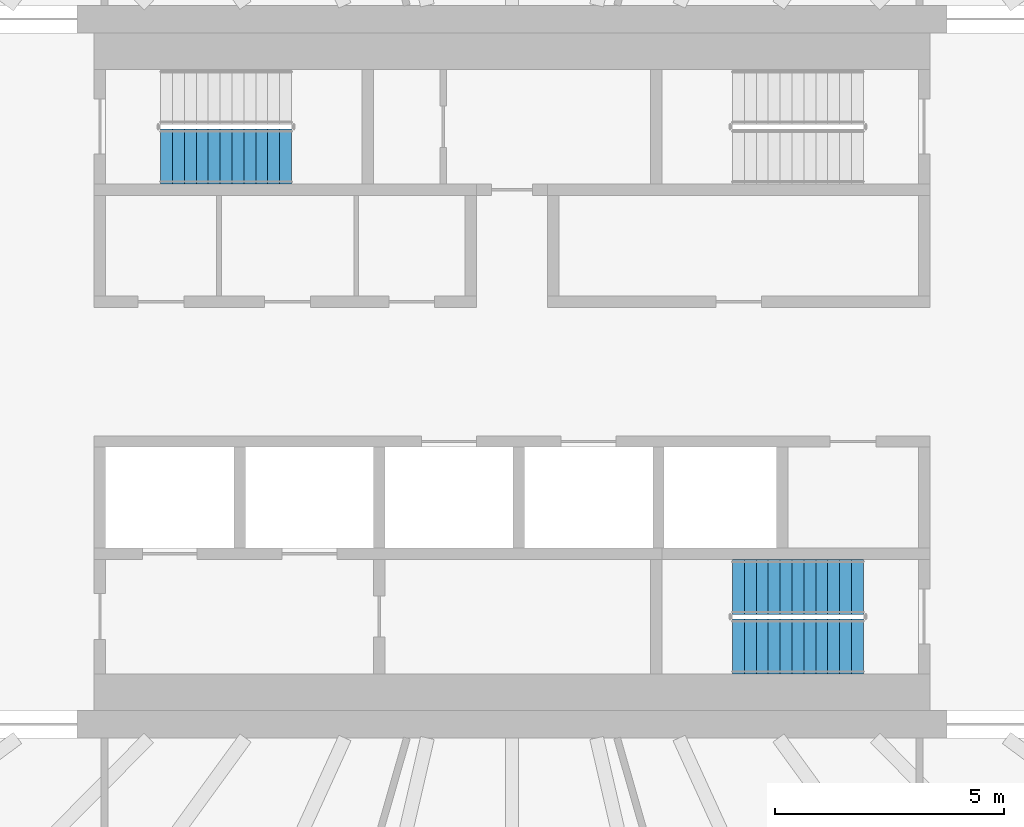
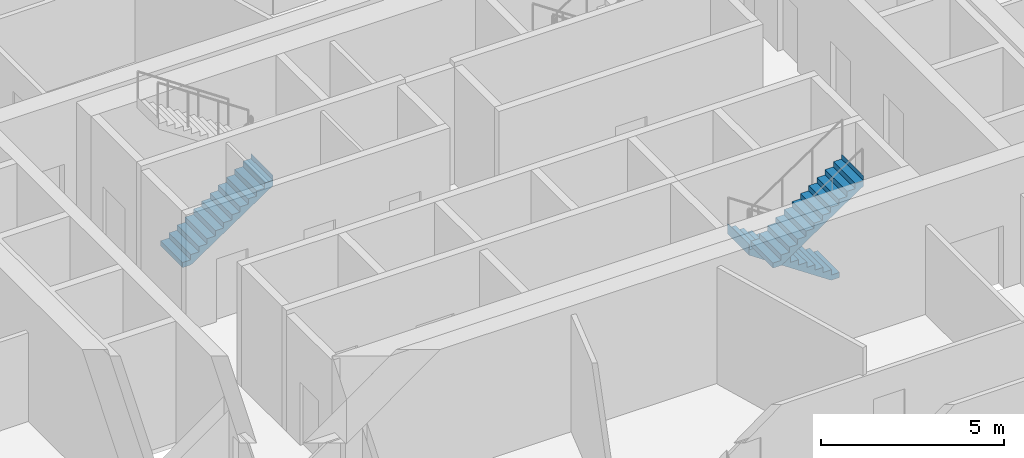
# One storey, part 19 of 26: 3 stair flights, 2 elements without a shape of their own.
"""IFC4 building model written with IfcOpenShell, lengths in metres."""

from ifc_helpers import new_model, si_unit, direction, frame, origin, place, context, subcontext, project, spatial, triangles, material, type_object, element, aggregate, save


model = new_model("IFC4")

# Units and contexts
model_context = context("Model", 3, precision=1e-05, world=origin(), true_north=direction((0.0, 1.0)))
body_context = subcontext(model_context, "Body", "Model", "MODEL_VIEW")
ifc_project = project(units=[si_unit("LENGTHUNIT", "METRE"), si_unit("AREAUNIT", "SQUARE_METRE"), si_unit("VOLUMEUNIT", "CUBIC_METRE"), si_unit("PLANEANGLEUNIT", "RADIAN"), si_unit("MASSUNIT", "GRAM", prefix="KILO")], contexts=[model_context])

# Site, building, storey
site_placement = place(None, origin())
site = spatial("IfcSite", under=ifc_project, at=site_placement, CompositionType="ELEMENT")
building_placement = place(site_placement, origin())
building = spatial("IfcBuilding", under=site, at=building_placement, Name="Sahrelin Media Tower", CompositionType="ELEMENT")
storey_placement = place(building_placement, frame((0.0, 0.0, 88.199951171875)))
storey = spatial("IfcBuildingStorey", under=building, at=storey_placement, Name="L16", CompositionType="ELEMENT", Elevation=88.199951171875)

# Stair, stair flight
ifc_material = material(Name="Concrete C40/50", Category="concrete")
stair_type = type_object("IfcStairType", Name="Exit stair 1200", PredefinedType="HALF_TURN_STAIR", material=ifc_material)
placement = place(storey_placement, origin())
stair_1 = element("IfcStair", 1, at=placement, inside=storey, type_object=stair_type, Name="L16 Exit stair ST1", PredefinedType="HALF_TURN_STAIR")
stair_flight_type = type_object("IfcStairFlightType", Name="Stair flight 1200", PredefinedType="STRAIGHT", material=ifc_material)
stair_flight_1_placement = place(storey_placement, frame((-7.675048828125, 4.699951171875, 0.0), z_axis=(0.0, 0.0, 1.0), x_axis=(1.0, 0.0, 0.0)))
stair_flight_1 = element("IfcStairFlight", 2, at=stair_flight_1_placement, type_object=stair_flight_type, Name="ST1 flight 1", NumberOfRisers=12, NumberOfTreads=11, PredefinedType="STRAIGHT", RiserHeight=0.175, TreadLength=0.26, context=body_context, shape_type="Tessellation", body=[
    triangles([(0.2685546875, 0.60009765625, 0.0), (0.2685546875, 0.300048828125, 0.0), (0.2685546875, 0.0, 0.0), (0.2685546875, -0.300048828125, 0.0), (0.2685546875, -0.60009765625, 0.0), (2.860107421875, 0.60009765625, 1.744384765625), (2.860107421875, 0.300048828125, 1.744384765625), (2.860107421875, 0.0, 1.744384765625), (2.860107421875, -0.300048828125, 1.744384765625), (2.860107421875, -0.60009765625, 1.744384765625), (2.860107421875, 0.60009765625, 2.10009765625), (2.860107421875, 0.300048828125, 2.10009765625), (2.860107421875, 0.0, 2.10009765625), (2.860107421875, -0.300048828125, 2.10009765625), (2.860107421875, -0.60009765625, 2.10009765625), (2.85791015625, 0.60009765625, 2.10009765625), (2.85791015625, 0.300048828125, 2.10009765625), (2.85791015625, 0.0, 2.10009765625), (2.85791015625, -0.300048828125, 2.10009765625), (2.85791015625, -0.60009765625, 2.10009765625), (2.85791015625, 0.60009765625, 1.925048828125), (2.85791015625, 0.300048828125, 1.925048828125), (2.85791015625, 0.0, 1.925048828125), (2.85791015625, -0.300048828125, 1.925048828125), (2.85791015625, -0.60009765625, 1.925048828125), (2.60009765625, 0.60009765625, 1.925048828125), (2.60009765625, 0.300048828125, 1.925048828125), (2.60009765625, 0.0, 1.925048828125), (2.60009765625, -0.300048828125, 1.925048828125), (2.60009765625, -0.60009765625, 1.925048828125), (2.60009765625, 0.60009765625, 1.75), (2.60009765625, 0.300048828125, 1.75), (2.60009765625, 0.0, 1.75), (2.60009765625, -0.300048828125, 1.75), (2.60009765625, -0.60009765625, 1.75), (2.340087890625, 0.60009765625, 1.75), (2.340087890625, 0.300048828125, 1.75), (2.340087890625, 0.0, 1.75), (2.340087890625, -0.300048828125, 1.75), (2.340087890625, -0.60009765625, 1.75), (2.340087890625, 0.60009765625, 1.574951171875), (2.340087890625, 0.300048828125, 1.574951171875), (2.340087890625, 0.0, 1.574951171875), (2.340087890625, -0.300048828125, 1.574951171875), (2.340087890625, -0.60009765625, 1.574951171875), (2.080078125, 0.60009765625, 1.574951171875), (2.080078125, 0.300048828125, 1.574951171875), (2.080078125, 0.0, 1.574951171875), (2.080078125, -0.300048828125, 1.574951171875), (2.080078125, -0.60009765625, 1.574951171875), (2.080078125, 0.60009765625, 1.39990234375), (2.080078125, 0.300048828125, 1.39990234375), (2.080078125, 0.0, 1.39990234375), (2.080078125, -0.300048828125, 1.39990234375), (2.080078125, -0.60009765625, 1.39990234375), (1.820068359375, 0.60009765625, 1.39990234375), (1.820068359375, 0.300048828125, 1.39990234375), (1.820068359375, 0.0, 1.39990234375), (1.820068359375, -0.300048828125, 1.39990234375), (1.820068359375, -0.60009765625, 1.39990234375), (1.820068359375, 0.60009765625, 1.22509765625), (1.820068359375, 0.300048828125, 1.22509765625), (1.820068359375, 0.0, 1.22509765625), (1.820068359375, -0.300048828125, 1.22509765625), (1.820068359375, -0.60009765625, 1.22509765625), (1.56005859375, 0.60009765625, 1.22509765625), (1.56005859375, 0.300048828125, 1.22509765625), (1.56005859375, 0.0, 1.22509765625), (1.56005859375, -0.300048828125, 1.22509765625), (1.56005859375, -0.60009765625, 1.22509765625), (1.56005859375, 0.60009765625, 1.050048828125), (1.56005859375, 0.300048828125, 1.050048828125), (1.56005859375, 0.0, 1.050048828125), (1.56005859375, -0.300048828125, 1.050048828125), (1.56005859375, -0.60009765625, 1.050048828125), (1.300048828125, 0.60009765625, 1.050048828125), (1.300048828125, 0.300048828125, 1.050048828125), (1.300048828125, 0.0, 1.050048828125), (1.300048828125, -0.300048828125, 1.050048828125), (1.300048828125, -0.60009765625, 1.050048828125), (1.300048828125, 0.60009765625, 0.875), (1.300048828125, 0.300048828125, 0.875), (1.300048828125, 0.0, 0.875), (1.300048828125, -0.300048828125, 0.875), (1.300048828125, -0.60009765625, 0.875), (1.0400390625, 0.60009765625, 0.875), (1.0400390625, 0.300048828125, 0.875), (1.0400390625, 0.0, 0.875), (1.0400390625, -0.300048828125, 0.875), (1.0400390625, -0.60009765625, 0.875), (1.0400390625, 0.60009765625, 0.699951171875), (1.0400390625, 0.300048828125, 0.699951171875), (1.0400390625, 0.0, 0.699951171875), (1.0400390625, -0.300048828125, 0.699951171875), (1.0400390625, -0.60009765625, 0.699951171875), (0.780029296875, 0.60009765625, 0.699951171875), (0.780029296875, 0.300048828125, 0.699951171875), (0.780029296875, 0.0, 0.699951171875), (0.780029296875, -0.300048828125, 0.699951171875), (0.780029296875, -0.60009765625, 0.699951171875), (0.780029296875, 0.60009765625, 0.52490234375), (0.780029296875, 0.300048828125, 0.52490234375), (0.780029296875, 0.0, 0.52490234375), (0.780029296875, -0.300048828125, 0.52490234375), (0.780029296875, -0.60009765625, 0.52490234375), (0.52001953125, 0.60009765625, 0.52490234375), (0.52001953125, 0.300048828125, 0.52490234375), (0.52001953125, 0.0, 0.52490234375), (0.52001953125, -0.300048828125, 0.52490234375), (0.52001953125, -0.60009765625, 0.52490234375), (0.52001953125, 0.60009765625, 0.35009765625), (0.52001953125, 0.300048828125, 0.35009765625), (0.52001953125, 0.0, 0.35009765625), (0.52001953125, -0.300048828125, 0.35009765625), (0.52001953125, -0.60009765625, 0.35009765625), (0.260009765625, 0.60009765625, 0.35009765625), (0.260009765625, 0.300048828125, 0.35009765625), (0.260009765625, 0.0, 0.35009765625), (0.260009765625, -0.300048828125, 0.35009765625), (0.260009765625, -0.60009765625, 0.35009765625), (0.260009765625, 0.60009765625, 0.175048828125), (0.260009765625, 0.300048828125, 0.175048828125), (0.260009765625, 0.0, 0.175048828125), (0.260009765625, -0.300048828125, 0.175048828125), (0.260009765625, -0.60009765625, 0.175048828125), (0.0, 0.60009765625, 0.175048828125), (0.0, 0.300048828125, 0.175048828125), (0.0, 0.0, 0.175048828125), (0.0, -0.300048828125, 0.175048828125), (0.0, -0.60009765625, 0.175048828125), (0.0, 0.60009765625, 0.0), (0.0, 0.300048828125, 0.0), (0.0, 0.0, 0.0), (0.0, -0.300048828125, 0.0), (0.0, -0.60009765625, 0.0)], [[1, 6, 7], [1, 7, 2], [2, 7, 8], [2, 8, 3], [3, 8, 9], [3, 9, 4], [4, 9, 10], [4, 10, 5], [6, 11, 12], [6, 12, 7], [7, 12, 13], [7, 13, 8], [8, 13, 14], [8, 14, 9], [9, 14, 15], [9, 15, 10], [11, 16, 17], [11, 17, 12], [12, 17, 18], [12, 18, 13], [13, 18, 19], [13, 19, 14], [14, 19, 20], [14, 20, 15], [16, 21, 22], [16, 22, 17], [17, 22, 23], [17, 23, 18], [18, 23, 24], [18, 24, 19], [19, 24, 25], [19, 25, 20], [21, 26, 27], [21, 27, 22], [22, 27, 28], [22, 28, 23], [23, 28, 29], [23, 29, 24], [24, 29, 30], [24, 30, 25], [26, 31, 32], [26, 32, 27], [27, 32, 33], [27, 33, 28], [28, 33, 34], [28, 34, 29], [29, 34, 35], [29, 35, 30], [31, 36, 37], [31, 37, 32], [32, 37, 38], [32, 38, 33], [33, 38, 39], [33, 39, 34], [34, 39, 40], [34, 40, 35], [36, 41, 42], [36, 42, 37], [37, 42, 43], [37, 43, 38], [38, 43, 44], [38, 44, 39], [39, 44, 45], [39, 45, 40], [41, 46, 47], [41, 47, 42], [42, 47, 48], [42, 48, 43], [43, 48, 49], [43, 49, 44], [44, 49, 50], [44, 50, 45], [46, 51, 52], [46, 52, 47], [47, 52, 53], [47, 53, 48], [48, 53, 54], [48, 54, 49], [49, 54, 55], [49, 55, 50], [51, 56, 57], [51, 57, 52], [52, 57, 58], [52, 58, 53], [53, 58, 59], [53, 59, 54], [54, 59, 60], [54, 60, 55], [56, 61, 62], [56, 62, 57], [57, 62, 63], [57, 63, 58], [58, 63, 64], [58, 64, 59], [59, 64, 65], [59, 65, 60], [61, 66, 67], [61, 67, 62], [62, 67, 68], [62, 68, 63], [63, 68, 69], [63, 69, 64], [64, 69, 70], [64, 70, 65], [66, 71, 72], [66, 72, 67], [67, 72, 73], [67, 73, 68], [68, 73, 74], [68, 74, 69], [69, 74, 75], [69, 75, 70], [71, 76, 77], [71, 77, 72], [72, 77, 78], [72, 78, 73], [73, 78, 79], [73, 79, 74], [74, 79, 80], [74, 80, 75], [76, 81, 82], [76, 82, 77], [77, 82, 83], [77, 83, 78], [78, 83, 84], [78, 84, 79], [79, 84, 85], [79, 85, 80], [81, 86, 87], [81, 87, 82], [82, 87, 88], [82, 88, 83], [83, 88, 89], [83, 89, 84], [84, 89, 90], [84, 90, 85], [86, 91, 92], [86, 92, 87], [87, 92, 93], [87, 93, 88], [88, 93, 94], [88, 94, 89], [89, 94, 95], [89, 95, 90], [91, 96, 97], [91, 97, 92], [92, 97, 98], [92, 98, 93], [93, 98, 99], [93, 99, 94], [94, 99, 100], [94, 100, 95], [96, 101, 102], [96, 102, 97], [97, 102, 103], [97, 103, 98], [98, 103, 104], [98, 104, 99], [99, 104, 105], [99, 105, 100], [101, 106, 107], [101, 107, 102], [102, 107, 108], [102, 108, 103], [103, 108, 109], [103, 109, 104], [104, 109, 110], [104, 110, 105], [106, 111, 112], [106, 112, 107], [107, 112, 113], [107, 113, 108], [108, 113, 114], [108, 114, 109], [109, 114, 115], [109, 115, 110], [111, 116, 117], [111, 117, 112], [112, 117, 118], [112, 118, 113], [113, 118, 119], [113, 119, 114], [114, 119, 120], [114, 120, 115], [116, 121, 122], [116, 122, 117], [117, 122, 123], [117, 123, 118], [118, 123, 124], [118, 124, 119], [119, 124, 125], [119, 125, 120], [121, 126, 127], [121, 127, 122], [122, 127, 128], [122, 128, 123], [123, 128, 129], [123, 129, 124], [124, 129, 130], [124, 130, 125], [126, 131, 132], [126, 132, 127], [127, 132, 133], [127, 133, 128], [128, 133, 134], [128, 134, 129], [129, 134, 135], [129, 135, 130], [131, 1, 2], [131, 2, 132], [132, 2, 3], [132, 3, 133], [133, 3, 4], [133, 4, 134], [134, 4, 5], [134, 5, 135], [125, 130, 135], [121, 131, 126], [125, 115, 120], [121, 116, 111], [115, 105, 110], [111, 106, 101], [105, 95, 100], [101, 96, 91], [95, 85, 90], [91, 86, 81], [85, 75, 80], [81, 76, 71], [75, 65, 70], [71, 66, 61], [65, 55, 60], [61, 56, 51], [55, 45, 50], [51, 46, 41], [45, 35, 40], [41, 36, 31], [35, 25, 30], [31, 26, 21], [25, 15, 20], [21, 16, 11], [135, 5, 125], [131, 121, 1], [95, 105, 5], [91, 1, 101], [5, 10, 75], [1, 71, 6], [10, 35, 45], [6, 41, 31], [25, 10, 15], [21, 11, 6], [115, 125, 5], [111, 1, 121], [75, 85, 5], [71, 1, 81], [35, 10, 25], [31, 21, 6], [105, 115, 5], [101, 1, 111], [45, 55, 10], [41, 6, 51], [85, 95, 5], [81, 1, 91], [65, 10, 55], [61, 51, 6], [10, 65, 75], [6, 71, 61]], closed=True),
])
aggregate(stair_1, [stair_flight_1])

# Stair, stair flights
stair_2 = element("IfcStair", 3, at=placement, inside=storey, type_object=stair_type, Name="L16 Exit stair ST2", PredefinedType="HALF_TURN_STAIR")
stair_flight_2_placement = place(storey_placement, frame((7.675048828125, -4.699951171875, 0.0), z_axis=(0.0, 0.0, 1.0), x_axis=(-1.0, 0.0, 0.0)))
stair_flight_2 = element("IfcStairFlight", 4, at=stair_flight_2_placement, type_object=stair_flight_type, Name="ST2 flight 1", NumberOfRisers=12, NumberOfTreads=11, PredefinedType="STRAIGHT", RiserHeight=0.175, TreadLength=0.26, context=body_context, shape_type="Tessellation", body=[
    triangles([(0.2685546875, 0.60009765625, 0.0), (0.2685546875, 0.300048828125, 0.0), (0.2685546875, 0.0, 0.0), (0.2685546875, -0.300048828125, 0.0), (0.2685546875, -0.60009765625, 0.0), (2.860107421875, 0.60009765625, 1.744384765625), (2.860107421875, 0.300048828125, 1.744384765625), (2.860107421875, 0.0, 1.744384765625), (2.860107421875, -0.300048828125, 1.744384765625), (2.860107421875, -0.60009765625, 1.744384765625), (2.860107421875, 0.60009765625, 2.10009765625), (2.860107421875, 0.300048828125, 2.10009765625), (2.860107421875, 0.0, 2.10009765625), (2.860107421875, -0.300048828125, 2.10009765625), (2.860107421875, -0.60009765625, 2.10009765625), (2.85791015625, 0.60009765625, 2.10009765625), (2.85791015625, 0.300048828125, 2.10009765625), (2.85791015625, 0.0, 2.10009765625), (2.85791015625, -0.300048828125, 2.10009765625), (2.85791015625, -0.60009765625, 2.10009765625), (2.85791015625, 0.60009765625, 1.925048828125), (2.85791015625, 0.300048828125, 1.925048828125), (2.85791015625, 0.0, 1.925048828125), (2.85791015625, -0.300048828125, 1.925048828125), (2.85791015625, -0.60009765625, 1.925048828125), (2.60009765625, 0.60009765625, 1.925048828125), (2.60009765625, 0.300048828125, 1.925048828125), (2.60009765625, 0.0, 1.925048828125), (2.60009765625, -0.300048828125, 1.925048828125), (2.60009765625, -0.60009765625, 1.925048828125), (2.60009765625, 0.60009765625, 1.75), (2.60009765625, 0.300048828125, 1.75), (2.60009765625, 0.0, 1.75), (2.60009765625, -0.300048828125, 1.75), (2.60009765625, -0.60009765625, 1.75), (2.340087890625, 0.60009765625, 1.75), (2.340087890625, 0.300048828125, 1.75), (2.340087890625, 0.0, 1.75), (2.340087890625, -0.300048828125, 1.75), (2.340087890625, -0.60009765625, 1.75), (2.340087890625, 0.60009765625, 1.574951171875), (2.340087890625, 0.300048828125, 1.574951171875), (2.340087890625, 0.0, 1.574951171875), (2.340087890625, -0.300048828125, 1.574951171875), (2.340087890625, -0.60009765625, 1.574951171875), (2.080078125, 0.60009765625, 1.574951171875), (2.080078125, 0.300048828125, 1.574951171875), (2.080078125, 0.0, 1.574951171875), (2.080078125, -0.300048828125, 1.574951171875), (2.080078125, -0.60009765625, 1.574951171875), (2.080078125, 0.60009765625, 1.39990234375), (2.080078125, 0.300048828125, 1.39990234375), (2.080078125, 0.0, 1.39990234375), (2.080078125, -0.300048828125, 1.39990234375), (2.080078125, -0.60009765625, 1.39990234375), (1.820068359375, 0.60009765625, 1.39990234375), (1.820068359375, 0.300048828125, 1.39990234375), (1.820068359375, 0.0, 1.39990234375), (1.820068359375, -0.300048828125, 1.39990234375), (1.820068359375, -0.60009765625, 1.39990234375), (1.820068359375, 0.60009765625, 1.22509765625), (1.820068359375, 0.300048828125, 1.22509765625), (1.820068359375, 0.0, 1.22509765625), (1.820068359375, -0.300048828125, 1.22509765625), (1.820068359375, -0.60009765625, 1.22509765625), (1.56005859375, 0.60009765625, 1.22509765625), (1.56005859375, 0.300048828125, 1.22509765625), (1.56005859375, 0.0, 1.22509765625), (1.56005859375, -0.300048828125, 1.22509765625), (1.56005859375, -0.60009765625, 1.22509765625), (1.56005859375, 0.60009765625, 1.050048828125), (1.56005859375, 0.300048828125, 1.050048828125), (1.56005859375, 0.0, 1.050048828125), (1.56005859375, -0.300048828125, 1.050048828125), (1.56005859375, -0.60009765625, 1.050048828125), (1.300048828125, 0.60009765625, 1.050048828125), (1.300048828125, 0.300048828125, 1.050048828125), (1.300048828125, 0.0, 1.050048828125), (1.300048828125, -0.300048828125, 1.050048828125), (1.300048828125, -0.60009765625, 1.050048828125), (1.300048828125, 0.60009765625, 0.875), (1.300048828125, 0.300048828125, 0.875), (1.300048828125, 0.0, 0.875), (1.300048828125, -0.300048828125, 0.875), (1.300048828125, -0.60009765625, 0.875), (1.0400390625, 0.60009765625, 0.875), (1.0400390625, 0.300048828125, 0.875), (1.0400390625, 0.0, 0.875), (1.0400390625, -0.300048828125, 0.875), (1.0400390625, -0.60009765625, 0.875), (1.0400390625, 0.60009765625, 0.699951171875), (1.0400390625, 0.300048828125, 0.699951171875), (1.0400390625, 0.0, 0.699951171875), (1.0400390625, -0.300048828125, 0.699951171875), (1.0400390625, -0.60009765625, 0.699951171875), (0.780029296875, 0.60009765625, 0.699951171875), (0.780029296875, 0.300048828125, 0.699951171875), (0.780029296875, 0.0, 0.699951171875), (0.780029296875, -0.300048828125, 0.699951171875), (0.780029296875, -0.60009765625, 0.699951171875), (0.780029296875, 0.60009765625, 0.52490234375), (0.780029296875, 0.300048828125, 0.52490234375), (0.780029296875, 0.0, 0.52490234375), (0.780029296875, -0.300048828125, 0.52490234375), (0.780029296875, -0.60009765625, 0.52490234375), (0.52001953125, 0.60009765625, 0.52490234375), (0.52001953125, 0.300048828125, 0.52490234375), (0.52001953125, 0.0, 0.52490234375), (0.52001953125, -0.300048828125, 0.52490234375), (0.52001953125, -0.60009765625, 0.52490234375), (0.52001953125, 0.60009765625, 0.35009765625), (0.52001953125, 0.300048828125, 0.35009765625), (0.52001953125, 0.0, 0.35009765625), (0.52001953125, -0.300048828125, 0.35009765625), (0.52001953125, -0.60009765625, 0.35009765625), (0.260009765625, 0.60009765625, 0.35009765625), (0.260009765625, 0.300048828125, 0.35009765625), (0.260009765625, 0.0, 0.35009765625), (0.260009765625, -0.300048828125, 0.35009765625), (0.260009765625, -0.60009765625, 0.35009765625), (0.260009765625, 0.60009765625, 0.175048828125), (0.260009765625, 0.300048828125, 0.175048828125), (0.260009765625, 0.0, 0.175048828125), (0.260009765625, -0.300048828125, 0.175048828125), (0.260009765625, -0.60009765625, 0.175048828125), (0.0, 0.60009765625, 0.175048828125), (0.0, 0.300048828125, 0.175048828125), (0.0, 0.0, 0.175048828125), (0.0, -0.300048828125, 0.175048828125), (0.0, -0.60009765625, 0.175048828125), (0.0, 0.60009765625, 0.0), (0.0, 0.300048828125, 0.0), (0.0, 0.0, 0.0), (0.0, -0.300048828125, 0.0), (0.0, -0.60009765625, 0.0)], [[1, 6, 7], [1, 7, 2], [2, 7, 8], [2, 8, 3], [3, 8, 9], [3, 9, 4], [4, 9, 10], [4, 10, 5], [6, 11, 12], [6, 12, 7], [7, 12, 13], [7, 13, 8], [8, 13, 14], [8, 14, 9], [9, 14, 15], [9, 15, 10], [11, 16, 17], [11, 17, 12], [12, 17, 18], [12, 18, 13], [13, 18, 19], [13, 19, 14], [14, 19, 20], [14, 20, 15], [16, 21, 22], [16, 22, 17], [17, 22, 23], [17, 23, 18], [18, 23, 24], [18, 24, 19], [19, 24, 25], [19, 25, 20], [21, 26, 27], [21, 27, 22], [22, 27, 28], [22, 28, 23], [23, 28, 29], [23, 29, 24], [24, 29, 30], [24, 30, 25], [26, 31, 32], [26, 32, 27], [27, 32, 33], [27, 33, 28], [28, 33, 34], [28, 34, 29], [29, 34, 35], [29, 35, 30], [31, 36, 37], [31, 37, 32], [32, 37, 38], [32, 38, 33], [33, 38, 39], [33, 39, 34], [34, 39, 40], [34, 40, 35], [36, 41, 42], [36, 42, 37], [37, 42, 43], [37, 43, 38], [38, 43, 44], [38, 44, 39], [39, 44, 45], [39, 45, 40], [41, 46, 47], [41, 47, 42], [42, 47, 48], [42, 48, 43], [43, 48, 49], [43, 49, 44], [44, 49, 50], [44, 50, 45], [46, 51, 52], [46, 52, 47], [47, 52, 53], [47, 53, 48], [48, 53, 54], [48, 54, 49], [49, 54, 55], [49, 55, 50], [51, 56, 57], [51, 57, 52], [52, 57, 58], [52, 58, 53], [53, 58, 59], [53, 59, 54], [54, 59, 60], [54, 60, 55], [56, 61, 62], [56, 62, 57], [57, 62, 63], [57, 63, 58], [58, 63, 64], [58, 64, 59], [59, 64, 65], [59, 65, 60], [61, 66, 67], [61, 67, 62], [62, 67, 68], [62, 68, 63], [63, 68, 69], [63, 69, 64], [64, 69, 70], [64, 70, 65], [66, 71, 72], [66, 72, 67], [67, 72, 73], [67, 73, 68], [68, 73, 74], [68, 74, 69], [69, 74, 75], [69, 75, 70], [71, 76, 77], [71, 77, 72], [72, 77, 78], [72, 78, 73], [73, 78, 79], [73, 79, 74], [74, 79, 80], [74, 80, 75], [76, 81, 82], [76, 82, 77], [77, 82, 83], [77, 83, 78], [78, 83, 84], [78, 84, 79], [79, 84, 85], [79, 85, 80], [81, 86, 87], [81, 87, 82], [82, 87, 88], [82, 88, 83], [83, 88, 89], [83, 89, 84], [84, 89, 90], [84, 90, 85], [86, 91, 92], [86, 92, 87], [87, 92, 93], [87, 93, 88], [88, 93, 94], [88, 94, 89], [89, 94, 95], [89, 95, 90], [91, 96, 97], [91, 97, 92], [92, 97, 98], [92, 98, 93], [93, 98, 99], [93, 99, 94], [94, 99, 100], [94, 100, 95], [96, 101, 102], [96, 102, 97], [97, 102, 103], [97, 103, 98], [98, 103, 104], [98, 104, 99], [99, 104, 105], [99, 105, 100], [101, 106, 107], [101, 107, 102], [102, 107, 108], [102, 108, 103], [103, 108, 109], [103, 109, 104], [104, 109, 110], [104, 110, 105], [106, 111, 112], [106, 112, 107], [107, 112, 113], [107, 113, 108], [108, 113, 114], [108, 114, 109], [109, 114, 115], [109, 115, 110], [111, 116, 117], [111, 117, 112], [112, 117, 118], [112, 118, 113], [113, 118, 119], [113, 119, 114], [114, 119, 120], [114, 120, 115], [116, 121, 122], [116, 122, 117], [117, 122, 123], [117, 123, 118], [118, 123, 124], [118, 124, 119], [119, 124, 125], [119, 125, 120], [121, 126, 127], [121, 127, 122], [122, 127, 128], [122, 128, 123], [123, 128, 129], [123, 129, 124], [124, 129, 130], [124, 130, 125], [126, 131, 132], [126, 132, 127], [127, 132, 133], [127, 133, 128], [128, 133, 134], [128, 134, 129], [129, 134, 135], [129, 135, 130], [131, 1, 2], [131, 2, 132], [132, 2, 3], [132, 3, 133], [133, 3, 4], [133, 4, 134], [134, 4, 5], [134, 5, 135], [125, 130, 135], [121, 131, 126], [125, 115, 120], [121, 116, 111], [115, 105, 110], [111, 106, 101], [105, 95, 100], [101, 96, 91], [95, 85, 90], [91, 86, 81], [85, 75, 80], [81, 76, 71], [75, 65, 70], [71, 66, 61], [65, 55, 60], [61, 56, 51], [55, 45, 50], [51, 46, 41], [45, 35, 40], [41, 36, 31], [35, 25, 30], [31, 26, 21], [25, 15, 20], [21, 16, 11], [135, 5, 125], [131, 121, 1], [95, 105, 5], [91, 1, 101], [5, 10, 75], [1, 71, 6], [10, 35, 45], [6, 41, 31], [25, 10, 15], [21, 11, 6], [115, 125, 5], [111, 1, 121], [75, 85, 5], [71, 1, 81], [35, 10, 25], [31, 21, 6], [105, 115, 5], [101, 1, 111], [45, 55, 10], [41, 6, 51], [85, 95, 5], [81, 1, 91], [65, 10, 55], [61, 51, 6], [10, 65, 75], [6, 71, 61]], closed=True),
])
stair_flight_3_placement = place(storey_placement, frame((4.81494140625, -6.0, 2.10009765625), z_axis=(0.0, 0.0, 1.0), x_axis=(1.0, 0.0, 0.0)))
stair_flight_3 = element("IfcStairFlight", 5, at=stair_flight_3_placement, type_object=stair_flight_type, Name="ST2 flight 2", NumberOfRisers=12, NumberOfTreads=11, PredefinedType="STRAIGHT", RiserHeight=0.175, TreadLength=0.26, context=body_context, shape_type="Tessellation", body=[
    triangles([(0.2685546875, 0.60009765625, 0.0), (0.2685546875, 0.300048828125, 0.0), (0.2685546875, 0.0, 0.0), (0.2685546875, -0.300048828125, 0.0), (0.2685546875, -0.60009765625, 0.0), (2.860107421875, 0.60009765625, 1.744384765625), (2.860107421875, 0.300048828125, 1.744384765625), (2.860107421875, 0.0, 1.744384765625), (2.860107421875, -0.300048828125, 1.744384765625), (2.860107421875, -0.60009765625, 1.744384765625), (2.860107421875, 0.60009765625, 2.10009765625), (2.860107421875, 0.300048828125, 2.10009765625), (2.860107421875, 0.0, 2.10009765625), (2.860107421875, -0.300048828125, 2.10009765625), (2.860107421875, -0.60009765625, 2.10009765625), (2.85791015625, 0.60009765625, 2.10009765625), (2.85791015625, 0.300048828125, 2.10009765625), (2.85791015625, 0.0, 2.10009765625), (2.85791015625, -0.300048828125, 2.10009765625), (2.85791015625, -0.60009765625, 2.10009765625), (2.85791015625, 0.60009765625, 1.925048828125), (2.85791015625, 0.300048828125, 1.925048828125), (2.85791015625, 0.0, 1.925048828125), (2.85791015625, -0.300048828125, 1.925048828125), (2.85791015625, -0.60009765625, 1.925048828125), (2.60009765625, 0.60009765625, 1.925048828125), (2.60009765625, 0.300048828125, 1.925048828125), (2.60009765625, 0.0, 1.925048828125), (2.60009765625, -0.300048828125, 1.925048828125), (2.60009765625, -0.60009765625, 1.925048828125), (2.60009765625, 0.60009765625, 1.75), (2.60009765625, 0.300048828125, 1.75), (2.60009765625, 0.0, 1.75), (2.60009765625, -0.300048828125, 1.75), (2.60009765625, -0.60009765625, 1.75), (2.340087890625, 0.60009765625, 1.75), (2.340087890625, 0.300048828125, 1.75), (2.340087890625, 0.0, 1.75), (2.340087890625, -0.300048828125, 1.75), (2.340087890625, -0.60009765625, 1.75), (2.340087890625, 0.60009765625, 1.574951171875), (2.340087890625, 0.300048828125, 1.574951171875), (2.340087890625, 0.0, 1.574951171875), (2.340087890625, -0.300048828125, 1.574951171875), (2.340087890625, -0.60009765625, 1.574951171875), (2.080078125, 0.60009765625, 1.574951171875), (2.080078125, 0.300048828125, 1.574951171875), (2.080078125, 0.0, 1.574951171875), (2.080078125, -0.300048828125, 1.574951171875), (2.080078125, -0.60009765625, 1.574951171875), (2.080078125, 0.60009765625, 1.39990234375), (2.080078125, 0.300048828125, 1.39990234375), (2.080078125, 0.0, 1.39990234375), (2.080078125, -0.300048828125, 1.39990234375), (2.080078125, -0.60009765625, 1.39990234375), (1.820068359375, 0.60009765625, 1.39990234375), (1.820068359375, 0.300048828125, 1.39990234375), (1.820068359375, 0.0, 1.39990234375), (1.820068359375, -0.300048828125, 1.39990234375), (1.820068359375, -0.60009765625, 1.39990234375), (1.820068359375, 0.60009765625, 1.22509765625), (1.820068359375, 0.300048828125, 1.22509765625), (1.820068359375, 0.0, 1.22509765625), (1.820068359375, -0.300048828125, 1.22509765625), (1.820068359375, -0.60009765625, 1.22509765625), (1.56005859375, 0.60009765625, 1.22509765625), (1.56005859375, 0.300048828125, 1.22509765625), (1.56005859375, 0.0, 1.22509765625), (1.56005859375, -0.300048828125, 1.22509765625), (1.56005859375, -0.60009765625, 1.22509765625), (1.56005859375, 0.60009765625, 1.050048828125), (1.56005859375, 0.300048828125, 1.050048828125), (1.56005859375, 0.0, 1.050048828125), (1.56005859375, -0.300048828125, 1.050048828125), (1.56005859375, -0.60009765625, 1.050048828125), (1.300048828125, 0.60009765625, 1.050048828125), (1.300048828125, 0.300048828125, 1.050048828125), (1.300048828125, 0.0, 1.050048828125), (1.300048828125, -0.300048828125, 1.050048828125), (1.300048828125, -0.60009765625, 1.050048828125), (1.300048828125, 0.60009765625, 0.875), (1.300048828125, 0.300048828125, 0.875), (1.300048828125, 0.0, 0.875), (1.300048828125, -0.300048828125, 0.875), (1.300048828125, -0.60009765625, 0.875), (1.0400390625, 0.60009765625, 0.875), (1.0400390625, 0.300048828125, 0.875), (1.0400390625, 0.0, 0.875), (1.0400390625, -0.300048828125, 0.875), (1.0400390625, -0.60009765625, 0.875), (1.0400390625, 0.60009765625, 0.699951171875), (1.0400390625, 0.300048828125, 0.699951171875), (1.0400390625, 0.0, 0.699951171875), (1.0400390625, -0.300048828125, 0.699951171875), (1.0400390625, -0.60009765625, 0.699951171875), (0.780029296875, 0.60009765625, 0.699951171875), (0.780029296875, 0.300048828125, 0.699951171875), (0.780029296875, 0.0, 0.699951171875), (0.780029296875, -0.300048828125, 0.699951171875), (0.780029296875, -0.60009765625, 0.699951171875), (0.780029296875, 0.60009765625, 0.52490234375), (0.780029296875, 0.300048828125, 0.52490234375), (0.780029296875, 0.0, 0.52490234375), (0.780029296875, -0.300048828125, 0.52490234375), (0.780029296875, -0.60009765625, 0.52490234375), (0.52001953125, 0.60009765625, 0.52490234375), (0.52001953125, 0.300048828125, 0.52490234375), (0.52001953125, 0.0, 0.52490234375), (0.52001953125, -0.300048828125, 0.52490234375), (0.52001953125, -0.60009765625, 0.52490234375), (0.52001953125, 0.60009765625, 0.35009765625), (0.52001953125, 0.300048828125, 0.35009765625), (0.52001953125, 0.0, 0.35009765625), (0.52001953125, -0.300048828125, 0.35009765625), (0.52001953125, -0.60009765625, 0.35009765625), (0.260009765625, 0.60009765625, 0.35009765625), (0.260009765625, 0.300048828125, 0.35009765625), (0.260009765625, 0.0, 0.35009765625), (0.260009765625, -0.300048828125, 0.35009765625), (0.260009765625, -0.60009765625, 0.35009765625), (0.260009765625, 0.60009765625, 0.175048828125), (0.260009765625, 0.300048828125, 0.175048828125), (0.260009765625, 0.0, 0.175048828125), (0.260009765625, -0.300048828125, 0.175048828125), (0.260009765625, -0.60009765625, 0.175048828125), (0.0, 0.60009765625, 0.175048828125), (0.0, 0.300048828125, 0.175048828125), (0.0, 0.0, 0.175048828125), (0.0, -0.300048828125, 0.175048828125), (0.0, -0.60009765625, 0.175048828125), (0.0, 0.60009765625, 0.0), (0.0, 0.300048828125, 0.0), (0.0, 0.0, 0.0), (0.0, -0.300048828125, 0.0), (0.0, -0.60009765625, 0.0)], [[1, 6, 7], [1, 7, 2], [2, 7, 8], [2, 8, 3], [3, 8, 9], [3, 9, 4], [4, 9, 10], [4, 10, 5], [6, 11, 12], [6, 12, 7], [7, 12, 13], [7, 13, 8], [8, 13, 14], [8, 14, 9], [9, 14, 15], [9, 15, 10], [11, 16, 17], [11, 17, 12], [12, 17, 18], [12, 18, 13], [13, 18, 19], [13, 19, 14], [14, 19, 20], [14, 20, 15], [16, 21, 22], [16, 22, 17], [17, 22, 23], [17, 23, 18], [18, 23, 24], [18, 24, 19], [19, 24, 25], [19, 25, 20], [21, 26, 27], [21, 27, 22], [22, 27, 28], [22, 28, 23], [23, 28, 29], [23, 29, 24], [24, 29, 30], [24, 30, 25], [26, 31, 32], [26, 32, 27], [27, 32, 33], [27, 33, 28], [28, 33, 34], [28, 34, 29], [29, 34, 35], [29, 35, 30], [31, 36, 37], [31, 37, 32], [32, 37, 38], [32, 38, 33], [33, 38, 39], [33, 39, 34], [34, 39, 40], [34, 40, 35], [36, 41, 42], [36, 42, 37], [37, 42, 43], [37, 43, 38], [38, 43, 44], [38, 44, 39], [39, 44, 45], [39, 45, 40], [41, 46, 47], [41, 47, 42], [42, 47, 48], [42, 48, 43], [43, 48, 49], [43, 49, 44], [44, 49, 50], [44, 50, 45], [46, 51, 52], [46, 52, 47], [47, 52, 53], [47, 53, 48], [48, 53, 54], [48, 54, 49], [49, 54, 55], [49, 55, 50], [51, 56, 57], [51, 57, 52], [52, 57, 58], [52, 58, 53], [53, 58, 59], [53, 59, 54], [54, 59, 60], [54, 60, 55], [56, 61, 62], [56, 62, 57], [57, 62, 63], [57, 63, 58], [58, 63, 64], [58, 64, 59], [59, 64, 65], [59, 65, 60], [61, 66, 67], [61, 67, 62], [62, 67, 68], [62, 68, 63], [63, 68, 69], [63, 69, 64], [64, 69, 70], [64, 70, 65], [66, 71, 72], [66, 72, 67], [67, 72, 73], [67, 73, 68], [68, 73, 74], [68, 74, 69], [69, 74, 75], [69, 75, 70], [71, 76, 77], [71, 77, 72], [72, 77, 78], [72, 78, 73], [73, 78, 79], [73, 79, 74], [74, 79, 80], [74, 80, 75], [76, 81, 82], [76, 82, 77], [77, 82, 83], [77, 83, 78], [78, 83, 84], [78, 84, 79], [79, 84, 85], [79, 85, 80], [81, 86, 87], [81, 87, 82], [82, 87, 88], [82, 88, 83], [83, 88, 89], [83, 89, 84], [84, 89, 90], [84, 90, 85], [86, 91, 92], [86, 92, 87], [87, 92, 93], [87, 93, 88], [88, 93, 94], [88, 94, 89], [89, 94, 95], [89, 95, 90], [91, 96, 97], [91, 97, 92], [92, 97, 98], [92, 98, 93], [93, 98, 99], [93, 99, 94], [94, 99, 100], [94, 100, 95], [96, 101, 102], [96, 102, 97], [97, 102, 103], [97, 103, 98], [98, 103, 104], [98, 104, 99], [99, 104, 105], [99, 105, 100], [101, 106, 107], [101, 107, 102], [102, 107, 108], [102, 108, 103], [103, 108, 109], [103, 109, 104], [104, 109, 110], [104, 110, 105], [106, 111, 112], [106, 112, 107], [107, 112, 113], [107, 113, 108], [108, 113, 114], [108, 114, 109], [109, 114, 115], [109, 115, 110], [111, 116, 117], [111, 117, 112], [112, 117, 118], [112, 118, 113], [113, 118, 119], [113, 119, 114], [114, 119, 120], [114, 120, 115], [116, 121, 122], [116, 122, 117], [117, 122, 123], [117, 123, 118], [118, 123, 124], [118, 124, 119], [119, 124, 125], [119, 125, 120], [121, 126, 127], [121, 127, 122], [122, 127, 128], [122, 128, 123], [123, 128, 129], [123, 129, 124], [124, 129, 130], [124, 130, 125], [126, 131, 132], [126, 132, 127], [127, 132, 133], [127, 133, 128], [128, 133, 134], [128, 134, 129], [129, 134, 135], [129, 135, 130], [131, 1, 2], [131, 2, 132], [132, 2, 3], [132, 3, 133], [133, 3, 4], [133, 4, 134], [134, 4, 5], [134, 5, 135], [125, 130, 135], [121, 131, 126], [125, 115, 120], [121, 116, 111], [115, 105, 110], [111, 106, 101], [105, 95, 100], [101, 96, 91], [95, 85, 90], [91, 86, 81], [85, 75, 80], [81, 76, 71], [75, 65, 70], [71, 66, 61], [65, 55, 60], [61, 56, 51], [55, 45, 50], [51, 46, 41], [45, 35, 40], [41, 36, 31], [35, 25, 30], [31, 26, 21], [25, 15, 20], [21, 16, 11], [135, 5, 125], [131, 121, 1], [95, 105, 5], [91, 1, 101], [5, 10, 75], [1, 71, 6], [10, 35, 45], [6, 41, 31], [25, 10, 15], [21, 11, 6], [115, 125, 5], [111, 1, 121], [75, 85, 5], [71, 1, 81], [35, 10, 25], [31, 21, 6], [105, 115, 5], [101, 1, 111], [45, 55, 10], [41, 6, 51], [85, 95, 5], [81, 1, 91], [65, 10, 55], [61, 51, 6], [10, 65, 75], [6, 71, 61]], closed=True),
])
aggregate(stair_2, [stair_flight_2, stair_flight_3])

save(model, "model.ifc")
